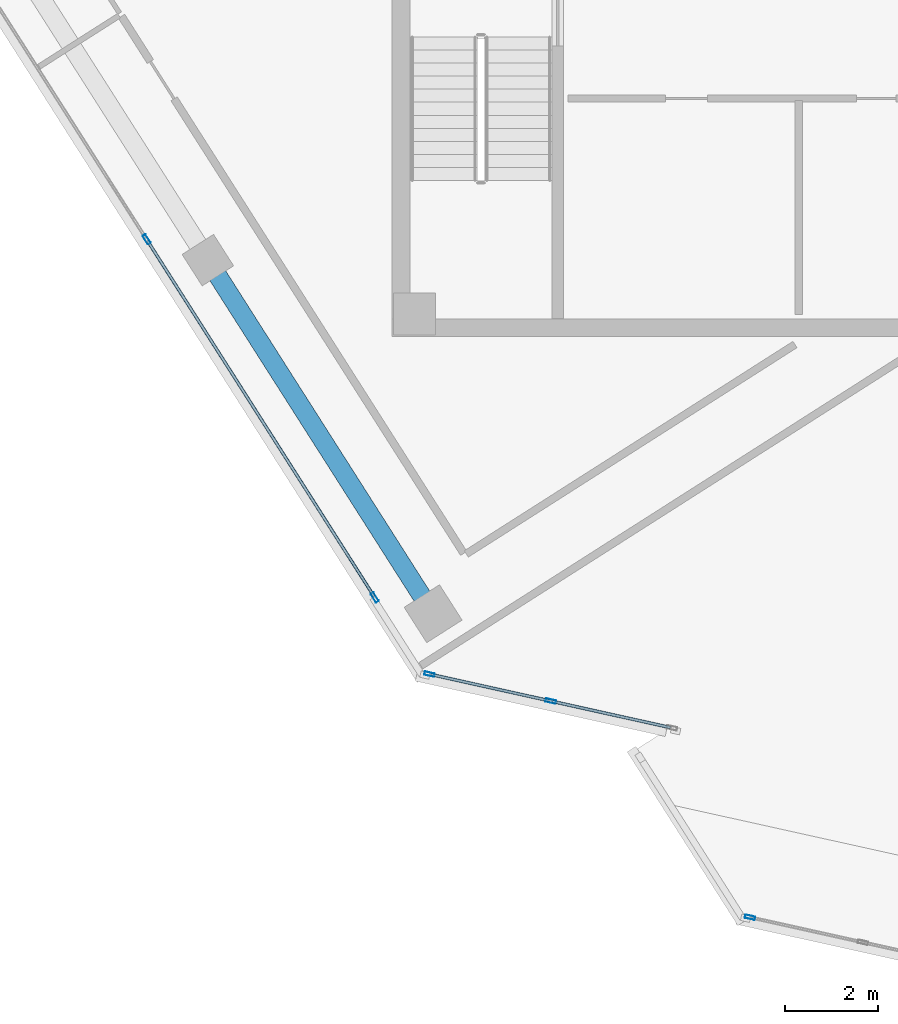
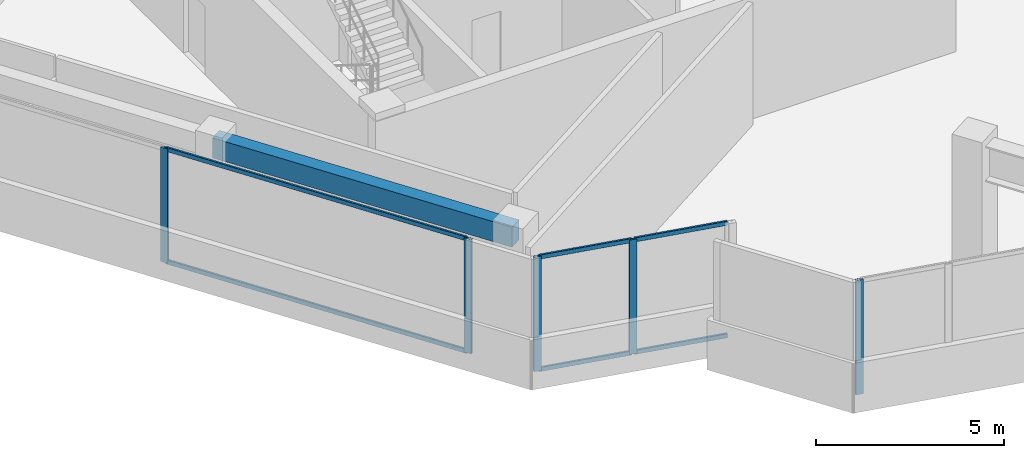
# One storey, part 2 of 15: 11 members, 1 beam, 3 elements without a shape of their own.
"""IFC4 building model written with IfcOpenShell, lengths in metres."""

import ifcopenshell
import ifcopenshell.guid

model = None  # the IFC model being written
_history = None  # IfcOwnerHistory: only IFC2X3 demands one
_inside = {}  # id of a spatial element -> (the spatial element, [elements in it])
_under = {}  # id of a project, library or spatial element -> (it, [spatial elements below it])
_declared = {}  # id of a project -> (the project, [libraries it declares])
_typed = {}  # id of a type object -> (the type object, [elements of that type])
_made_of = {}  # id of a material, layer set ... -> (it, [elements and type objects made of it])


def new_model(schema):
    """Start an empty IFC model of exactly this schema.

    Asked for "IFC4X3", IfcOpenShell would pick the latest addendum, in which some entities
    have other attributes; the version numbers below select the first issue.
    IFC2X3 requires an IfcOwnerHistory on every rooted entity: one is made here for all.
    """
    global model, _history
    if schema == "IFC4X3":
        model = ifcopenshell.file(schema_version=(4, 3, 0, 0))
    else:
        model = ifcopenshell.file(schema=schema)
    _inside.clear()
    _under.clear()
    _declared.clear()
    _typed.clear()
    _made_of.clear()
    _history = None
    if model.schema == "IFC2X3":
        org = make("IfcOrganization", Name="unknown")
        user = make(
            "IfcPersonAndOrganization",
            ThePerson=make("IfcPerson", FamilyName="unknown"),
            TheOrganization=org,
        )
        app = make(
            "IfcApplication",
            ApplicationDeveloper=org,
            Version="unknown",
            ApplicationFullName="unknown",
            ApplicationIdentifier="unknown",
        )
        _history = make(
            "IfcOwnerHistory",
            OwningUser=user,
            OwningApplication=app,
            ChangeAction="ADDED",
            CreationDate=0,
        )
    return model


def make(cls, **values):
    """One entity of the class cls with the attributes given. An attribute that is None is left unset."""
    return model.create_entity(
        cls, **{name: value for name, value in values.items() if value is not None}
    )


def rooted(cls, **values):
    """An entity with a GlobalId (a new one), such as an element, a storey or a relation."""
    return make(cls, GlobalId=ifcopenshell.guid.new(), OwnerHistory=_history, **values)


def si_unit(unit_type, name, prefix=None):
    """IfcSIUnit, for example si_unit("LENGTHUNIT", "METRE", prefix="MILLI")."""
    return make("IfcSIUnit", UnitType=unit_type, Prefix=prefix, Name=name)


def assignment(units):
    """IfcUnitAssignment: the units of a project."""
    return None if units is None else make("IfcUnitAssignment", Units=units)


def point(xyz):
    """IfcCartesianPoint."""
    return None if xyz is None else make("IfcCartesianPoint", Coordinates=xyz)


def direction(xyz):
    """IfcDirection."""
    return None if xyz is None else make("IfcDirection", DirectionRatios=xyz)


def frame(location, z_axis=None, x_axis=None):
    """IfcAxis2Placement3D, a coordinate frame: its origin and axes. An axis left out is left unset."""
    return make(
        "IfcAxis2Placement3D",
        Location=point(location),
        Axis=direction(z_axis),
        RefDirection=direction(x_axis),
    )


def frame_2d(location, x_axis=None):
    """IfcAxis2Placement2D, a coordinate frame in the plane: its origin and x axis."""
    return make(
        "IfcAxis2Placement2D", Location=point(location), RefDirection=direction(x_axis)
    )


def origin():
    """The frame at (0, 0, 0) with its axes left unset."""
    return frame((0.0, 0.0, 0.0))


def origin_2d():
    """The frame at (0, 0) in the plane with its x axis left unset."""
    return frame_2d((0.0, 0.0))


def place(relative_to, where):
    """IfcLocalPlacement: puts the frame where relative to a parent placement (None: the world)."""
    return make(
        "IfcLocalPlacement", PlacementRelTo=relative_to, RelativePlacement=where
    )


def context(
    kind, dimensions, precision=None, world=None, true_north=None, identifier=None
):
    """IfcGeometricRepresentationContext, for example the 3D "Model" context."""
    return make(
        "IfcGeometricRepresentationContext",
        ContextIdentifier=identifier,
        ContextType=kind,
        CoordinateSpaceDimension=dimensions,
        Precision=precision,
        WorldCoordinateSystem=world,
        TrueNorth=true_north,
    )


def subcontext(parent, identifier, kind, view, scale=None):
    """IfcGeometricRepresentationSubContext, for example "Body" below "Model"."""
    return make(
        "IfcGeometricRepresentationSubContext",
        ContextIdentifier=identifier,
        ContextType=kind,
        ParentContext=parent,
        TargetScale=scale,
        TargetView=view,
    )


def project(units=None, contexts=None):
    """IfcProject with its units and contexts."""
    return rooted(
        "IfcProject",
        Name="project",
        RepresentationContexts=contexts,
        UnitsInContext=assignment(units),
    )


def spatial(cls, under=None, at=None, **own):
    """A site, building, storey or space (cls), placed at a placement, below another one or the project."""
    s = rooted(cls, ObjectPlacement=at, **own)
    if under is not None:
        _under.setdefault(under.id(), (under, []))[1].append(s)
    return s


def profile(cls, at=None, kind="AREA", **sizes):
    """A parametric profile (cls). Its sizes go by their IFC names, for example OverallWidth=200.0."""
    return make(cls, ProfileType=kind, Position=at, **sizes)


def rectangle(**sizes):
    """IfcRectangleProfileDef."""
    return profile("IfcRectangleProfileDef", **sizes)


def hollow_rectangle(**sizes):
    """IfcRectangleHollowProfileDef."""
    return profile("IfcRectangleHollowProfileDef", **sizes)


def extrude(swept, where, along, depth):
    """IfcExtrudedAreaSolid: the profile swept, set in the frame where, extruded along a direction by depth."""
    return make(
        "IfcExtrudedAreaSolid",
        SweptArea=swept,
        Position=where,
        ExtrudedDirection=direction(along),
        Depth=depth,
    )


def shape(context_of_items, identifier, shape_type, items):
    """IfcShapeRepresentation: the items that make up one representation, for example the "Body"."""
    return make(
        "IfcShapeRepresentation",
        ContextOfItems=context_of_items,
        RepresentationIdentifier=identifier,
        RepresentationType=shape_type,
        Items=items,
    )


def source(mapping_origin, context_of_items, identifier, shape_type, items):
    """IfcRepresentationMap: a shape defined once, which mapped items show again and again."""
    return make(
        "IfcRepresentationMap",
        MappingOrigin=mapping_origin,
        MappedRepresentation=shape(context_of_items, identifier, shape_type, items),
    )


def transform(
    local_origin,
    x_axis=None,
    y_axis=None,
    z_axis=None,
    scale=None,
    scale2=None,
    scale3=None,
    uniform=True,
):
    """IfcCartesianTransformationOperator3D, or its non-uniform kind. x_axis, y_axis, z_axis: its Axis1, 2, 3."""
    if uniform:
        return make(
            "IfcCartesianTransformationOperator3D",
            Axis1=direction(x_axis),
            Axis2=direction(y_axis),
            LocalOrigin=point(local_origin),
            Scale=scale,
            Axis3=direction(z_axis),
        )
    return make(
        "IfcCartesianTransformationOperator3DnonUniform",
        Axis1=direction(x_axis),
        Axis2=direction(y_axis),
        LocalOrigin=point(local_origin),
        Scale=scale,
        Axis3=direction(z_axis),
        Scale2=scale2,
        Scale3=scale3,
    )


def mapped(mapping_source, mapping_target):
    """IfcMappedItem: shows the shape of a source again, moved by a transform."""
    return make(
        "IfcMappedItem", MappingSource=mapping_source, MappingTarget=mapping_target
    )


def material(Name=None, Category=None):
    """IfcMaterial."""
    return make("IfcMaterial", Name=Name, Category=Category)


def material_profile(
    of_material, cross_section, Name=None, Category=None, Priority=None
):
    """IfcMaterialProfile: a cross section and its material."""
    return make(
        "IfcMaterialProfile",
        Name=Name,
        Material=of_material,
        Profile=cross_section,
        Priority=Priority,
        Category=Category,
    )


def profile_set(profiles, Name=None, composite=None):
    """IfcMaterialProfileSet."""
    return make(
        "IfcMaterialProfileSet",
        Name=Name,
        MaterialProfiles=profiles,
        CompositeProfile=composite,
    )


def made_of(thing, what):
    """Note that an element or type object is made of a material, layer set ...; save() writes the relation."""
    if what is not None:
        _made_of.setdefault(what.id(), (what, []))[1].append(thing)
    return thing


def type_object(cls, material=None, **own):
    """A type object (cls), such as IfcWallType, which elements share."""
    return made_of(rooted(cls, **own), material)


def element(
    cls,
    number,
    at=None,
    inside=None,
    cuts=None,
    type_object=None,
    material=None,
    context=None,
    identifier="Body",
    shape_type=None,
    held_by="IfcProductDefinitionShape",
    body=None,
    shapes=None,
    **own,
):
    """One element of the class cls, such as IfcWall. Its Tag is "e" and its number.

    at: its placement. inside: the storey or other place that contains it. cuts: it is an
    opening in that element (IfcRelVoidsElement). A single representation is given by context,
    identifier, shape_type and body (its items); several are given by shapes. held_by: the class
    of the entity that holds the representations. save() writes the other relations.
    """
    e = rooted(cls, Tag="e%d" % number, ObjectPlacement=at, **own)
    if body is not None:
        shapes = [shape(context, identifier, shape_type, body)]
    if shapes is not None:
        e.Representation = make(held_by, Representations=shapes)
    if inside is not None:
        _inside.setdefault(inside.id(), (inside, []))[1].append(e)
    if cuts is not None:
        rooted(
            "IfcRelVoidsElement", RelatingBuildingElement=cuts, RelatedOpeningElement=e
        )
    if type_object is not None:
        _typed.setdefault(type_object.id(), (type_object, []))[1].append(e)
    return made_of(e, material)


def aggregate(whole, parts):
    """IfcRelAggregates: a whole, such as a stair, and the parts it consists of."""
    return rooted("IfcRelAggregates", RelatingObject=whole, RelatedObjects=parts)


def save(model, path):
    """Write the relations noted so far, then the file.

    IfcRelAggregates (storeys below a building ...), IfcRelContainedInSpatialStructure (elements
    in a storey), IfcRelDefinesByType, IfcRelAssociatesMaterial and IfcRelDeclares: one each for
    every whole, place, type object, material and project.
    """
    for whole, parts in _under.values():
        aggregate(whole, parts)
    for where, things in _inside.values():
        rooted(
            "IfcRelContainedInSpatialStructure",
            RelatedElements=things,
            RelatingStructure=where,
        )
    for kind, things in _typed.values():
        rooted("IfcRelDefinesByType", RelatedObjects=things, RelatingType=kind)
    for what, things in _made_of.values():
        rooted("IfcRelAssociatesMaterial", RelatedObjects=things, RelatingMaterial=what)
    for by, libraries in _declared.values():
        rooted("IfcRelDeclares", RelatingContext=by, RelatedDefinitions=libraries)
    model.write(path)


model = new_model("IFC4")

# Units and contexts
model_context = context("Model", 3, precision=1e-05, world=origin(), true_north=direction((0.0, 1.0)))
body_context = subcontext(model_context, "Body", "Model", "MODEL_VIEW")
ifc_project = project(units=[si_unit("LENGTHUNIT", "METRE"), si_unit("AREAUNIT", "SQUARE_METRE"), si_unit("VOLUMEUNIT", "CUBIC_METRE"), si_unit("PLANEANGLEUNIT", "RADIAN"), si_unit("MASSUNIT", "GRAM", prefix="KILO")], contexts=[model_context])

# Site, building, storey
site_placement = place(None, origin())
site = spatial("IfcSite", under=ifc_project, at=site_placement, CompositionType="ELEMENT")
building_placement = place(site_placement, origin())
building = spatial("IfcBuilding", under=site, at=building_placement, Name="Torre Montelarca", CompositionType="ELEMENT")
storey_placement = place(building_placement, frame((0.0, 0.0, 311.39990234375)))
storey = spatial("IfcBuildingStorey", under=building, at=storey_placement, Name="L70", CompositionType="ELEMENT", Elevation=311.39990234375)

# Beam
ifc_material_1 = material(Name="Concrete C40/50", Category="concrete")
ifc_material_profile_1 = material_profile(ifc_material_1, rectangle(XDim=0.39990234375, YDim=0.64990234375, at=origin_2d()), Name="RCB400X650", Category="concrete")
ifc_profile_set_1 = profile_set([ifc_material_profile_1], Name="Concrete C40/50")
beam_type = type_object("IfcBeamType", Name="BM-SP-RC650-EXT", PredefinedType="SPANDREL", material=ifc_profile_set_1)
shared_shape_1 = source(origin(), body_context, "Body", "SweptSolid", [
    extrude(rectangle(XDim=0.39990234375, YDim=0.64990234375, at=origin_2d()), origin(), (0.0, 0.0, 1.0), 8.999755859375),
])
beam_placement = place(storey_placement, frame((5.113037109375, 25.710205078125, 3.635009765625), z_axis=(0.537308978211, -0.843385476478, 0.0), x_axis=(0.843385476478, 0.537308978211, 0.0)))
element("IfcBeam", 1, at=beam_placement, inside=storey, type_object=beam_type, Name="L70 Grid Girder X 18.0-27.0 at Y=14.8", PredefinedType="SPANDREL", context=body_context, shape_type="MappedRepresentation", body=[
    mapped(shared_shape_1, transform((0.0, 0.0, 0.0), scale=1.0)),
])

# Curtain wall, members
ifc_material_2 = material(Name="Insulated low-E laminated glass", Category="glass")
curtain_wall_type = type_object("IfcCurtainWallType", Name="CW-SYS-Z4", PredefinedType="USERDEFINED", material=ifc_material_2)
curtain_wall_1_placement = place(storey_placement, origin())
curtain_wall_1 = element("IfcCurtainWall", 2, at=curtain_wall_1_placement, inside=storey, type_object=curtain_wall_type, Name="L70 Curtain Wall Run CW-T3-L70-E01-B1", ObjectType="UNITISED GLAZING", PredefinedType="USERDEFINED")
ifc_material_3 = material(Name="Anodised aluminium AA 6063-T6", Category="aluminium")
ifc_material_profile_2 = material_profile(ifc_material_3, hollow_rectangle(XDim=0.074951171875, YDim=0.219970703125, WallThickness=0.0048828125, InnerFilletRadius=0.0048828125, OuterFilletRadius=0.010009765625, at=origin_2d()), Name="ALU75X220X5", Category="aluminium")
ifc_profile_set_2 = profile_set([ifc_material_profile_2], Name="Anodised aluminium AA 6063-T6")
member_type_1 = type_object("IfcMemberType", Name="CWM-ALU220", PredefinedType="MULLION", material=ifc_profile_set_2)
shared_shape_2 = source(origin(), body_context, "Body", "SweptSolid", [
    extrude(hollow_rectangle(XDim=0.074951171875, YDim=0.219970703125, WallThickness=0.0048828125, InnerFilletRadius=0.0048828125, OuterFilletRadius=0.010009765625, at=origin_2d()), origin(), (0.0, 0.0, 1.0), 3.72021484375),
])
member_1_placement = place(storey_placement, frame((3.7978515625, 26.155517578125, 0.0), z_axis=(0.0, 0.0, 1.0), x_axis=(0.843389857864, 0.537302100919, 0.0)))
member_1 = element("IfcMember", 3, at=member_1_placement, type_object=member_type_1, Name="CW mullion 2", PredefinedType="MULLION", context=body_context, shape_type="MappedRepresentation", body=[
    mapped(shared_shape_2, transform((0.0, 0.0, 0.0), scale=1.0)),
])
member_2_placement = place(storey_placement, frame((8.6953125, 18.46826171875, 0.0), z_axis=(0.0, 0.0, 1.0), x_axis=(0.843389857864, 0.537302100919, 0.0)))
member_2 = element("IfcMember", 4, at=member_2_placement, type_object=member_type_1, Name="CW mullion 3", PredefinedType="MULLION", context=body_context, shape_type="MappedRepresentation", body=[
    mapped(shared_shape_2, transform((0.0, 0.0, 0.0), scale=1.0)),
])

curtain_wall_2_placement = place(storey_placement, origin())
curtain_wall_2 = element("IfcCurtainWall", 5, at=curtain_wall_2_placement, inside=storey, type_object=curtain_wall_type, Name="L70 Curtain Wall Run CW-T3-L70-E02-B1", ObjectType="UNITISED GLAZING", PredefinedType="USERDEFINED")
member_3_placement = place(storey_placement, frame((9.869384765625, 16.822021484375, 0.0), z_axis=(0.0, 0.0, 1.0), x_axis=(0.216448974638, 0.976293931856, 0.0)))
member_3 = element("IfcMember", 6, at=member_3_placement, type_object=member_type_1, Name="CW mullion 1", PredefinedType="MULLION", context=body_context, shape_type="MappedRepresentation", body=[
    mapped(shared_shape_2, transform((0.0, 0.0, 0.0), scale=1.0)),
])
member_4_placement = place(storey_placement, frame((12.4736328125, 16.24462890625, 0.0), z_axis=(0.0, 0.0, 1.0), x_axis=(0.216448974638, 0.976293931856, 0.0)))
member_4 = element("IfcMember", 7, at=member_4_placement, type_object=member_type_1, Name="CW mullion 2", PredefinedType="MULLION", context=body_context, shape_type="MappedRepresentation", body=[
    mapped(shared_shape_2, transform((0.0, 0.0, 0.0), scale=1.0)),
])

# Curtain wall, member
curtain_wall_3_placement = place(storey_placement, origin())
curtain_wall_3 = element("IfcCurtainWall", 8, at=curtain_wall_3_placement, inside=storey, type_object=curtain_wall_type, Name="L70 Curtain Wall Run CW-T3-L70-E05-B1", ObjectType="UNITISED GLAZING", PredefinedType="USERDEFINED")
member_5_placement = place(storey_placement, frame((16.751708984375, 11.6025390625, 0.0), z_axis=(0.0, 0.0, 1.0), x_axis=(0.216439080105, 0.976296125468, 0.0)))
member_5 = element("IfcMember", 9, at=member_5_placement, type_object=member_type_1, Name="CW mullion 1", PredefinedType="MULLION", context=body_context, shape_type="MappedRepresentation", body=[
    mapped(shared_shape_2, transform((0.0, 0.0, 0.0), scale=1.0)),
])
aggregate(curtain_wall_3, [member_5])

# Member
ifc_material_profile_3 = material_profile(ifc_material_3, hollow_rectangle(XDim=0.06494140625, YDim=0.139892578125, WallThickness=0.00390625, InnerFilletRadius=0.00390625, OuterFilletRadius=0.008056640625, at=origin_2d()), Name="ALU65X140X4", Category="aluminium")
ifc_profile_set_3 = profile_set([ifc_material_profile_3], Name="Anodised aluminium AA 6063-T6")
member_type_2 = type_object("IfcMemberType", Name="CWT-ALU140", PredefinedType="USERDEFINED", material=ifc_profile_set_3)
shared_shape_3 = source(origin(), body_context, "Body", "SweptSolid", [
    extrude(hollow_rectangle(XDim=0.06494140625, YDim=0.139892578125, WallThickness=0.00390625, InnerFilletRadius=0.00390625, OuterFilletRadius=0.008056640625, at=origin_2d()), origin(), (0.0, 0.0, 1.0), 2.592529296875),
])
member_6_placement = place(storey_placement, frame((9.906005859375, 16.81396484375, 0.03271484375), z_axis=(0.976302147171, -0.216411916099, 0.0), x_axis=(0.216411916099, 0.976302147171, 0.0)))
member_6 = element("IfcMember", 10, at=member_6_placement, type_object=member_type_2, Name="CW transom 1.1", ObjectType="TRANSOM", PredefinedType="USERDEFINED", context=body_context, shape_type="MappedRepresentation", body=[
    mapped(shared_shape_3, transform((0.0, 0.0, 0.0), scale=1.0)),
])

member_7_placement = place(storey_placement, frame((9.906005859375, 16.81396484375, 3.6875), z_axis=(0.976302147171, -0.216411916099, 0.0), x_axis=(0.216411916099, 0.976302147171, 0.0)))
member_7 = element("IfcMember", 11, at=member_7_placement, type_object=member_type_2, Name="CW transom 1.2", ObjectType="TRANSOM", PredefinedType="USERDEFINED", context=body_context, shape_type="MappedRepresentation", body=[
    mapped(shared_shape_3, transform((0.0, 0.0, 0.0), scale=1.0)),
])

member_8_placement = place(storey_placement, frame((12.51025390625, 16.236572265625, 0.03271484375), z_axis=(0.976302147171, -0.216411916099, 0.0), x_axis=(0.216411916099, 0.976302147171, 0.0)))
member_8 = element("IfcMember", 12, at=member_8_placement, type_object=member_type_2, Name="CW transom 2.1", ObjectType="TRANSOM", PredefinedType="USERDEFINED", context=body_context, shape_type="MappedRepresentation", body=[
    mapped(shared_shape_3, transform((0.0, 0.0, 0.0), scale=1.0)),
])

member_9_placement = place(storey_placement, frame((12.51025390625, 16.236572265625, 3.6875), z_axis=(0.976302147171, -0.216411916099, 0.0), x_axis=(0.216411916099, 0.976302147171, 0.0)))
member_9 = element("IfcMember", 13, at=member_9_placement, type_object=member_type_2, Name="CW transom 2.2", ObjectType="TRANSOM", PredefinedType="USERDEFINED", context=body_context, shape_type="MappedRepresentation", body=[
    mapped(shared_shape_3, transform((0.0, 0.0, 0.0), scale=1.0)),
])

aggregate(curtain_wall_2, [member_3, member_4, member_6, member_7, member_8, member_9])

shared_shape_4 = source(origin(), body_context, "Body", "SweptSolid", [
    extrude(hollow_rectangle(XDim=0.06494140625, YDim=0.139892578125, WallThickness=0.00390625, InnerFilletRadius=0.00390625, OuterFilletRadius=0.008056640625, at=origin_2d()), origin(), (0.0, 0.0, 1.0), 9.03955078125),
])
member_10_placement = place(storey_placement, frame((3.818115234375, 26.123779296875, 0.03271484375), z_axis=(0.537303584415, -0.843388912765, 0.0), x_axis=(0.843388912765, 0.537303584415, 0.0)))
member_10 = element("IfcMember", 14, at=member_10_placement, type_object=member_type_2, Name="CW transom 2.1", ObjectType="TRANSOM", PredefinedType="USERDEFINED", context=body_context, shape_type="MappedRepresentation", body=[
    mapped(shared_shape_4, transform((0.0, 0.0, 0.0), scale=1.0)),
])

member_11_placement = place(storey_placement, frame((3.818115234375, 26.123779296875, 3.6875), z_axis=(0.537303584415, -0.843388912765, 0.0), x_axis=(0.843388912765, 0.537303584415, 0.0)))
member_11 = element("IfcMember", 15, at=member_11_placement, type_object=member_type_2, Name="CW transom 2.2", ObjectType="TRANSOM", PredefinedType="USERDEFINED", context=body_context, shape_type="MappedRepresentation", body=[
    mapped(shared_shape_4, transform((0.0, 0.0, 0.0), scale=1.0)),
])

aggregate(curtain_wall_1, [member_1, member_2, member_10, member_11])

save(model, "model.ifc")
